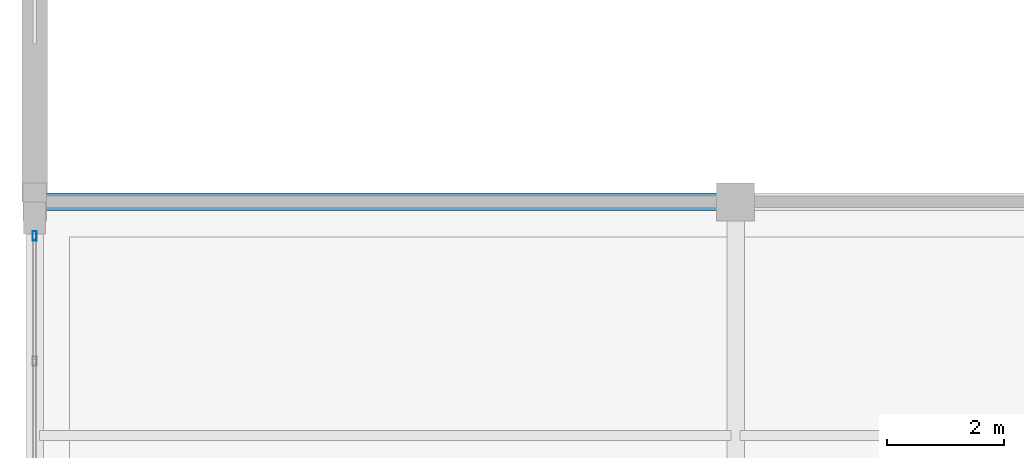
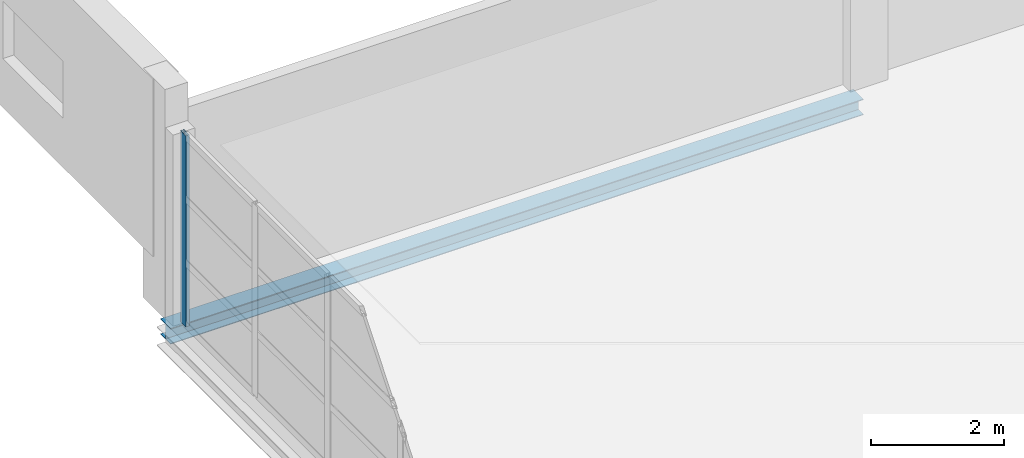
# One storey, part 117 of 158: 1 beam, 1 member, 1 element without a shape of its own.
"""IFC4 building model written with IfcOpenShell, lengths in metres."""

from ifc_helpers import new_model, si_unit, direction, frame, origin, origin_2d, place, context, subcontext, project, spatial, hollow_rectangle, i_section, extrude, material, layer, layer_set, material_profile, profile_set, type_object, element, aggregate, save


model = new_model("IFC4")

# Units and contexts
model_context = context("Model", 3, precision=1e-05, world=origin(), true_north=direction((0.0, 1.0)))
body_context = subcontext(model_context, "Body", "Model", "MODEL_VIEW")
ifc_project = project(units=[si_unit("LENGTHUNIT", "METRE"), si_unit("AREAUNIT", "SQUARE_METRE"), si_unit("VOLUMEUNIT", "CUBIC_METRE"), si_unit("PLANEANGLEUNIT", "RADIAN"), si_unit("MASSUNIT", "GRAM", prefix="KILO")], contexts=[model_context])

# Site, building, storey
site_placement = place(None, origin())
site = spatial("IfcSite", under=ifc_project, at=site_placement, CompositionType="ELEMENT")
building_placement = place(site_placement, origin())
building = spatial("IfcBuilding", under=site, at=building_placement, Name="Zilviju Railside Exhibition Hall", CompositionType="ELEMENT")
storey_placement = place(building_placement, frame((0.0, 0.0, 4.199951171875)))
storey = spatial("IfcBuildingStorey", under=building, at=storey_placement, Name="L02", CompositionType="ELEMENT", Elevation=4.199951171875)

# Beam
ifc_material_1 = material(Name="Steel S355J2", Category="steel")
ifc_material_profile_1 = material_profile(ifc_material_1, i_section(OverallWidth=0.300048828125, OverallDepth=0.2900390625, WebThickness=0.008544921875, FlangeThickness=0.013916015625, at=origin_2d()), Name="HEA 300")
ifc_profile_set_1 = profile_set([ifc_material_profile_1], Name="Steel S355J2")
beam_type = type_object("IfcBeamType", Name="BM-HEA300", PredefinedType="SPANDREL", material=ifc_profile_set_1)
beam_placement = place(storey_placement, frame((0.0, 138.0, -0.494873046875), z_axis=(1.0, 0.0, 0.0), x_axis=(0.0, 1.0, 0.0)))
element("IfcBeam", 1, at=beam_placement, inside=storey, type_object=beam_type, Name="Primary Girder L02 Y=138.0 (0.0..12.0)", PredefinedType="SPANDREL", context=body_context, shape_type="SweptSolid", body=[
    extrude(i_section(OverallWidth=0.300048828125, OverallDepth=0.2900390625, WebThickness=0.008544921875, FlangeThickness=0.013916015625, at=origin_2d()), origin(), (0.0, 0.0, 1.0), 12.0),
])

# Curtain wall, member
ifc_material_2 = material(Name="Thermally broken aluminium-steel triple-glazed curtain wall", Category="steel")
ifc_layer = layer(ifc_material_2, 0.179931640625)
ifc_layer_set = layer_set([ifc_layer], Name="Thermally broken aluminium-steel triple-glazed curtain wall")
curtain_wall_type = type_object("IfcCurtainWallType", Name="CW-BAY-04", PredefinedType="USERDEFINED", material=ifc_layer_set)
curtain_wall_placement = place(storey_placement, origin())
curtain_wall = element("IfcCurtainWall", 2, at=curtain_wall_placement, inside=storey, type_object=curtain_wall_type, Name="Organisers Wing Jugendstils Erkeri Curtain Wall L02", ObjectType="GLAZED CURTAIN WALL", PredefinedType="USERDEFINED")
ifc_material_3 = material(Name="Thermally broken anodized aluminium mullion", Category="aluminium")
ifc_material_profile_2 = material_profile(ifc_material_3, hollow_rectangle(XDim=0.06494140625, YDim=0.159912109375, WallThickness=0.0048828125, at=origin_2d()), Name="MULLION 160x65x5")
ifc_profile_set_2 = profile_set([ifc_material_profile_2], Name="Thermally broken anodized aluminium mullion")
member_type = type_object("IfcMemberType", Name="CWM-65x160", PredefinedType="MULLION", material=ifc_profile_set_2)
member_placement = place(storey_placement, frame((0.0, 137.41748046875, 0.0), z_axis=(0.0, 0.0, 1.0), x_axis=(-1.0, 0.0, 0.0)))
member = element("IfcMember", 3, at=member_placement, type_object=member_type, Name="CW-04 mullion 6", PredefinedType="MULLION", context=body_context, shape_type="SweptSolid", body=[
    extrude(hollow_rectangle(XDim=0.06494140625, YDim=0.159912109375, WallThickness=0.0048828125, at=origin_2d()), origin(), (0.0, 0.0, 1.0), 3.5),
])
aggregate(curtain_wall, [member])

save(model, "model.ifc")
